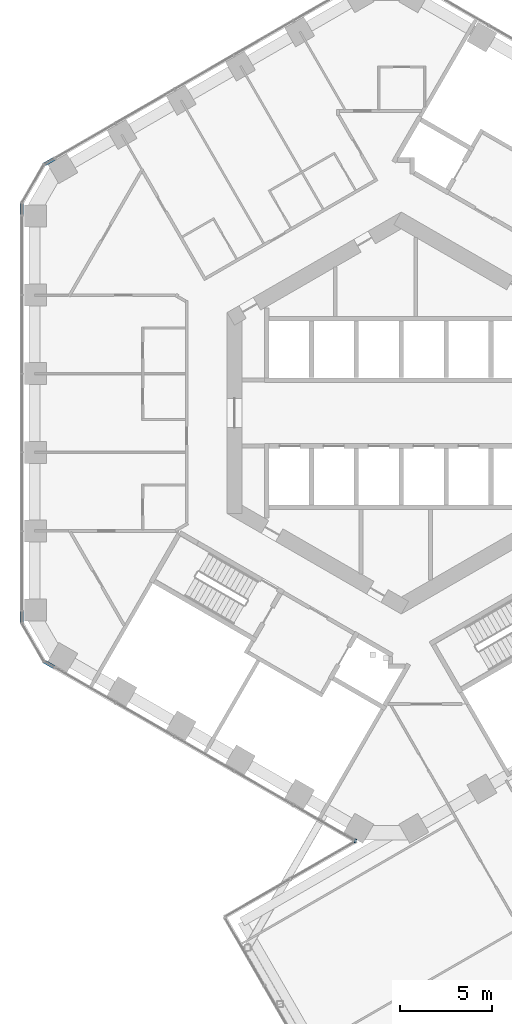
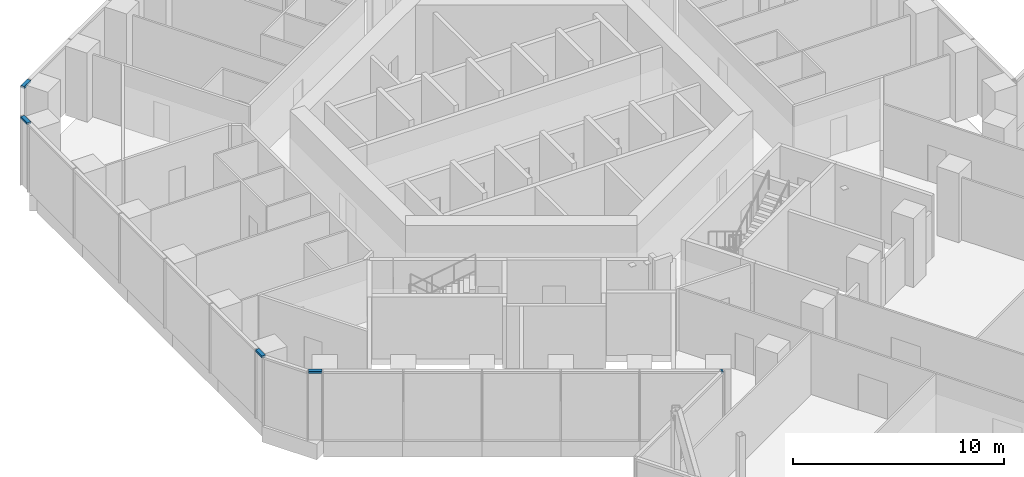
# One storey, part 10 of 27: 5 members, 3 elements without a shape of their own.
"""IFC4 building model written with IfcOpenShell, lengths in metres."""

from ifc_helpers import new_model, si_unit, direction, frame, origin, origin_2d, place, context, subcontext, project, spatial, rectangle, extrude, material, layer, layer_set, material_profile, profile_set, type_object, element, aggregate, save


model = new_model("IFC4")

# Units and contexts
model_context = context("Model", 3, precision=1e-05, world=origin(), true_north=direction((0.0, 1.0)))
body_context = subcontext(model_context, "Body", "Model", "MODEL_VIEW")
ifc_project = project(units=[si_unit("LENGTHUNIT", "METRE"), si_unit("AREAUNIT", "SQUARE_METRE"), si_unit("VOLUMEUNIT", "CUBIC_METRE"), si_unit("PLANEANGLEUNIT", "RADIAN"), si_unit("MASSUNIT", "GRAM", prefix="KILO")], contexts=[model_context])

# Site, building, storey
site_placement = place(None, origin())
site = spatial("IfcSite", under=ifc_project, at=site_placement, CompositionType="ELEMENT")
building_placement = place(site_placement, origin())
building = spatial("IfcBuilding", under=site, at=building_placement, Name="Ayvan Gate Tower", CompositionType="ELEMENT")
storey_placement = place(building_placement, frame((0.0, 0.0, 70.300048828125)))
storey = spatial("IfcBuildingStorey", under=building, at=storey_placement, Name="L18", CompositionType="ELEMENT", Elevation=70.300048828125)

# Curtain wall, members
ifc_material = material(Name="Bronze anodised aluminium", Category="aluminium")
ifc_layer = layer(ifc_material, 0.199951171875)
ifc_layer_set = layer_set([ifc_layer], Name="Bronze anodised aluminium")
curtain_wall_type = type_object("IfcCurtainWallType", Name="Stick curtain wall CW-6", PredefinedType="NOTDEFINED", material=ifc_layer_set)
curtain_wall_1_placement = place(storey_placement, origin())
curtain_wall_1 = element("IfcCurtainWall", 1, at=curtain_wall_1_placement, inside=storey, type_object=curtain_wall_type, Name="Stick curtain wall CW-6 L18", PredefinedType="NOTDEFINED")
ifc_material_profile = material_profile(ifc_material, rectangle(XDim=0.199951171875, YDim=0.1201171875, at=origin_2d()), Name="Stick curtain wall CW-6 transom 200 x 120")
ifc_profile_set = profile_set([ifc_material_profile], Name="Bronze anodised aluminium")
member_type = type_object("IfcMemberType", Name="Stick curtain wall CW-6 transom 200 x 120", PredefinedType="USERDEFINED", material=ifc_profile_set)
member_1_placement = place(storey_placement, frame((-18.932373046875, 13.877685546875, 3.93994140625), z_axis=(-0.866022959057, -0.500004234368, 0.0), x_axis=(0.500004234368, -0.866022959057, 0.0)))
member_1 = element("IfcMember", 2, at=member_1_placement, type_object=member_type, Name="CW-6 transom 1", ObjectType="TRANSOM", PredefinedType="USERDEFINED", context=body_context, shape_type="SweptSolid", body=[
    extrude(rectangle(XDim=0.199951171875, YDim=0.1201171875, at=origin_2d()), origin(), (0.0, 0.0, 1.0), 0.625),
])
member_2_placement = place(storey_placement, frame((-20.70263671875, 11.4365234375, 3.93994140625), z_axis=(0.0, -1.0, 0.0), x_axis=(1.0, 0.0, 0.0)))
member_2 = element("IfcMember", 3, at=member_2_placement, type_object=member_type, Name="CW-6 transom 3", ObjectType="TRANSOM", PredefinedType="USERDEFINED", context=body_context, shape_type="SweptSolid", body=[
    extrude(rectangle(XDim=0.199951171875, YDim=0.1201171875, at=origin_2d()), origin(), (0.0, 0.0, 1.0), 0.625),
])
aggregate(curtain_wall_1, [member_1, member_2])

curtain_wall_2_placement = place(storey_placement, origin())
curtain_wall_2 = element("IfcCurtainWall", 4, at=curtain_wall_2_placement, inside=storey, type_object=curtain_wall_type, Name="Stick curtain wall CW-6 L18", PredefinedType="NOTDEFINED")
member_3_placement = place(storey_placement, frame((-20.70263671875, -10.8115234375, 3.93994140625), z_axis=(0.0, -1.0, 0.0), x_axis=(1.0, 0.0, 0.0)))
member_3 = element("IfcMember", 5, at=member_3_placement, type_object=member_type, Name="CW-6 transom 1", ObjectType="TRANSOM", PredefinedType="USERDEFINED", context=body_context, shape_type="SweptSolid", body=[
    extrude(rectangle(XDim=0.199951171875, YDim=0.1201171875, at=origin_2d()), origin(), (0.0, 0.0, 1.0), 0.625),
])
member_4_placement = place(storey_placement, frame((-19.4736328125, -13.565185546875, 3.93994140625), z_axis=(0.866022959057, -0.500004234368, 0.0), x_axis=(0.500004234368, 0.866022959057, 0.0)))
member_4 = element("IfcMember", 6, at=member_4_placement, type_object=member_type, Name="CW-6 transom 3", ObjectType="TRANSOM", PredefinedType="USERDEFINED", context=body_context, shape_type="SweptSolid", body=[
    extrude(rectangle(XDim=0.199951171875, YDim=0.1201171875, at=origin_2d()), origin(), (0.0, 0.0, 1.0), 0.625),
])
aggregate(curtain_wall_2, [member_3, member_4])

# Curtain wall, member
curtain_wall_3_placement = place(storey_placement, origin())
curtain_wall_3 = element("IfcCurtainWall", 7, at=curtain_wall_3_placement, inside=storey, type_object=curtain_wall_type, Name="Stick curtain wall CW-6 L18", PredefinedType="NOTDEFINED")
member_5_placement = place(storey_placement, frame((-2.55224609375, -23.334716796875, 3.93994140625), z_axis=(0.965497057013, -0.260413964487, 0.0), x_axis=(0.260413964487, 0.965497057013, 0.0)))
member_5 = element("IfcMember", 8, at=member_5_placement, type_object=member_type, Name="CW-6 transom 1", ObjectType="TRANSOM", PredefinedType="USERDEFINED", context=body_context, shape_type="SweptSolid", body=[
    extrude(rectangle(XDim=0.199951171875, YDim=0.1201171875, at=origin_2d()), origin(), (0.0, 0.0, 1.0), 0.099365234375),
])
aggregate(curtain_wall_3, [member_5])

save(model, "model.ifc")
